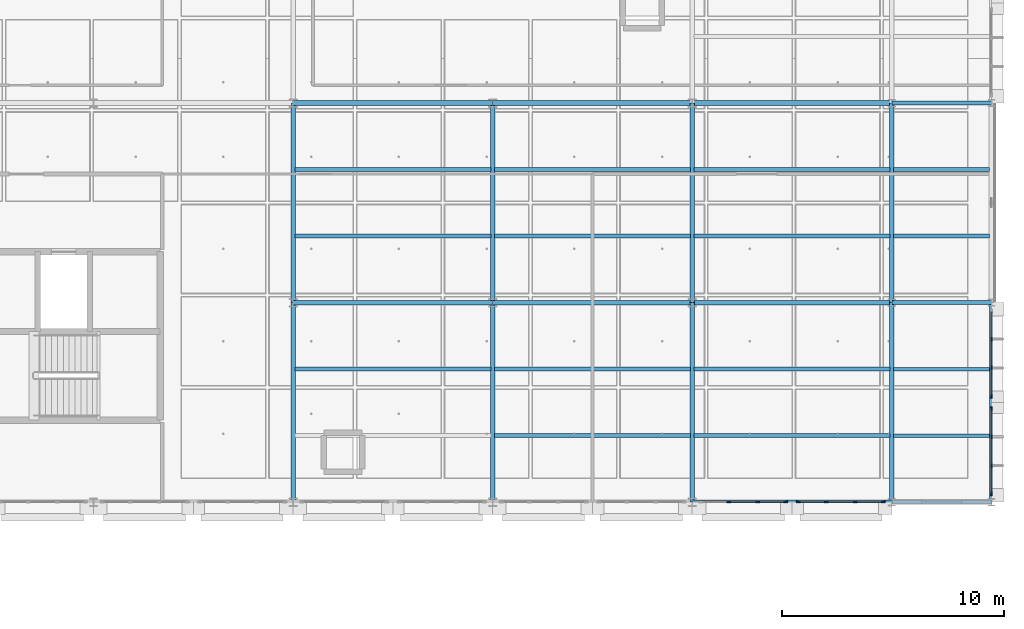
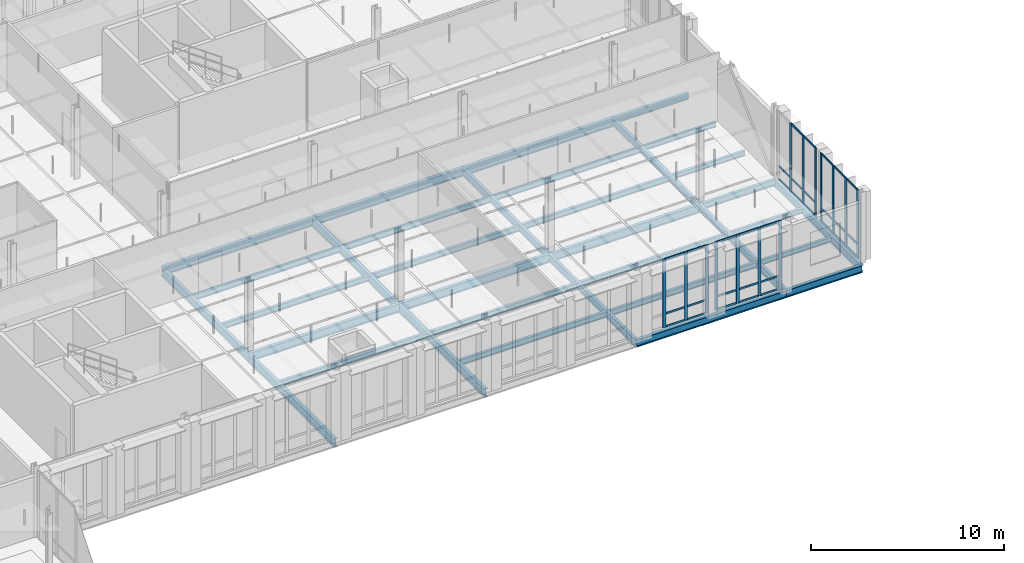
# One storey, part 49 of 130: 46 members, 34 beams, 4 elements without a shape of their own.
"""IFC4 building model written with IfcOpenShell, lengths in metres."""

import ifcopenshell
import ifcopenshell.guid

model = None  # the IFC model being written
_history = None  # IfcOwnerHistory: only IFC2X3 demands one
_inside = {}  # id of a spatial element -> (the spatial element, [elements in it])
_under = {}  # id of a project, library or spatial element -> (it, [spatial elements below it])
_declared = {}  # id of a project -> (the project, [libraries it declares])
_typed = {}  # id of a type object -> (the type object, [elements of that type])
_made_of = {}  # id of a material, layer set ... -> (it, [elements and type objects made of it])


def new_model(schema):
    """Start an empty IFC model of exactly this schema.

    Asked for "IFC4X3", IfcOpenShell would pick the latest addendum, in which some entities
    have other attributes; the version numbers below select the first issue.
    IFC2X3 requires an IfcOwnerHistory on every rooted entity: one is made here for all.
    """
    global model, _history
    if schema == "IFC4X3":
        model = ifcopenshell.file(schema_version=(4, 3, 0, 0))
    else:
        model = ifcopenshell.file(schema=schema)
    _inside.clear()
    _under.clear()
    _declared.clear()
    _typed.clear()
    _made_of.clear()
    _history = None
    if model.schema == "IFC2X3":
        org = make("IfcOrganization", Name="unknown")
        user = make(
            "IfcPersonAndOrganization",
            ThePerson=make("IfcPerson", FamilyName="unknown"),
            TheOrganization=org,
        )
        app = make(
            "IfcApplication",
            ApplicationDeveloper=org,
            Version="unknown",
            ApplicationFullName="unknown",
            ApplicationIdentifier="unknown",
        )
        _history = make(
            "IfcOwnerHistory",
            OwningUser=user,
            OwningApplication=app,
            ChangeAction="ADDED",
            CreationDate=0,
        )
    return model


def make(cls, **values):
    """One entity of the class cls with the attributes given. An attribute that is None is left unset."""
    return model.create_entity(
        cls, **{name: value for name, value in values.items() if value is not None}
    )


def rooted(cls, **values):
    """An entity with a GlobalId (a new one), such as an element, a storey or a relation."""
    return make(cls, GlobalId=ifcopenshell.guid.new(), OwnerHistory=_history, **values)


def si_unit(unit_type, name, prefix=None):
    """IfcSIUnit, for example si_unit("LENGTHUNIT", "METRE", prefix="MILLI")."""
    return make("IfcSIUnit", UnitType=unit_type, Prefix=prefix, Name=name)


def assignment(units):
    """IfcUnitAssignment: the units of a project."""
    return None if units is None else make("IfcUnitAssignment", Units=units)


def point(xyz):
    """IfcCartesianPoint."""
    return None if xyz is None else make("IfcCartesianPoint", Coordinates=xyz)


def direction(xyz):
    """IfcDirection."""
    return None if xyz is None else make("IfcDirection", DirectionRatios=xyz)


def frame(location, z_axis=None, x_axis=None):
    """IfcAxis2Placement3D, a coordinate frame: its origin and axes. An axis left out is left unset."""
    return make(
        "IfcAxis2Placement3D",
        Location=point(location),
        Axis=direction(z_axis),
        RefDirection=direction(x_axis),
    )


def frame_2d(location, x_axis=None):
    """IfcAxis2Placement2D, a coordinate frame in the plane: its origin and x axis."""
    return make(
        "IfcAxis2Placement2D", Location=point(location), RefDirection=direction(x_axis)
    )


def origin():
    """The frame at (0, 0, 0) with its axes left unset."""
    return frame((0.0, 0.0, 0.0))


def origin_2d():
    """The frame at (0, 0) in the plane with its x axis left unset."""
    return frame_2d((0.0, 0.0))


def place(relative_to, where):
    """IfcLocalPlacement: puts the frame where relative to a parent placement (None: the world)."""
    return make(
        "IfcLocalPlacement", PlacementRelTo=relative_to, RelativePlacement=where
    )


def context(
    kind, dimensions, precision=None, world=None, true_north=None, identifier=None
):
    """IfcGeometricRepresentationContext, for example the 3D "Model" context."""
    return make(
        "IfcGeometricRepresentationContext",
        ContextIdentifier=identifier,
        ContextType=kind,
        CoordinateSpaceDimension=dimensions,
        Precision=precision,
        WorldCoordinateSystem=world,
        TrueNorth=true_north,
    )


def subcontext(parent, identifier, kind, view, scale=None):
    """IfcGeometricRepresentationSubContext, for example "Body" below "Model"."""
    return make(
        "IfcGeometricRepresentationSubContext",
        ContextIdentifier=identifier,
        ContextType=kind,
        ParentContext=parent,
        TargetScale=scale,
        TargetView=view,
    )


def project(units=None, contexts=None):
    """IfcProject with its units and contexts."""
    return rooted(
        "IfcProject",
        Name="project",
        RepresentationContexts=contexts,
        UnitsInContext=assignment(units),
    )


def spatial(cls, under=None, at=None, **own):
    """A site, building, storey or space (cls), placed at a placement, below another one or the project."""
    s = rooted(cls, ObjectPlacement=at, **own)
    if under is not None:
        _under.setdefault(under.id(), (under, []))[1].append(s)
    return s


def profile(cls, at=None, kind="AREA", **sizes):
    """A parametric profile (cls). Its sizes go by their IFC names, for example OverallWidth=200.0."""
    return make(cls, ProfileType=kind, Position=at, **sizes)


def rectangle(**sizes):
    """IfcRectangleProfileDef."""
    return profile("IfcRectangleProfileDef", **sizes)


def i_section(**sizes):
    """IfcIShapeProfileDef."""
    return profile("IfcIShapeProfileDef", **sizes)


def extrude(swept, where, along, depth):
    """IfcExtrudedAreaSolid: the profile swept, set in the frame where, extruded along a direction by depth."""
    return make(
        "IfcExtrudedAreaSolid",
        SweptArea=swept,
        Position=where,
        ExtrudedDirection=direction(along),
        Depth=depth,
    )


def shape(context_of_items, identifier, shape_type, items):
    """IfcShapeRepresentation: the items that make up one representation, for example the "Body"."""
    return make(
        "IfcShapeRepresentation",
        ContextOfItems=context_of_items,
        RepresentationIdentifier=identifier,
        RepresentationType=shape_type,
        Items=items,
    )


def material(Name=None, Category=None):
    """IfcMaterial."""
    return make("IfcMaterial", Name=Name, Category=Category)


def material_profile(
    of_material, cross_section, Name=None, Category=None, Priority=None
):
    """IfcMaterialProfile: a cross section and its material."""
    return make(
        "IfcMaterialProfile",
        Name=Name,
        Material=of_material,
        Profile=cross_section,
        Priority=Priority,
        Category=Category,
    )


def profile_set(profiles, Name=None, composite=None):
    """IfcMaterialProfileSet."""
    return make(
        "IfcMaterialProfileSet",
        Name=Name,
        MaterialProfiles=profiles,
        CompositeProfile=composite,
    )


def made_of(thing, what):
    """Note that an element or type object is made of a material, layer set ...; save() writes the relation."""
    if what is not None:
        _made_of.setdefault(what.id(), (what, []))[1].append(thing)
    return thing


def type_object(cls, material=None, **own):
    """A type object (cls), such as IfcWallType, which elements share."""
    return made_of(rooted(cls, **own), material)


def element(
    cls,
    number,
    at=None,
    inside=None,
    cuts=None,
    type_object=None,
    material=None,
    context=None,
    identifier="Body",
    shape_type=None,
    held_by="IfcProductDefinitionShape",
    body=None,
    shapes=None,
    **own,
):
    """One element of the class cls, such as IfcWall. Its Tag is "e" and its number.

    at: its placement. inside: the storey or other place that contains it. cuts: it is an
    opening in that element (IfcRelVoidsElement). A single representation is given by context,
    identifier, shape_type and body (its items); several are given by shapes. held_by: the class
    of the entity that holds the representations. save() writes the other relations.
    """
    e = rooted(cls, Tag="e%d" % number, ObjectPlacement=at, **own)
    if body is not None:
        shapes = [shape(context, identifier, shape_type, body)]
    if shapes is not None:
        e.Representation = make(held_by, Representations=shapes)
    if inside is not None:
        _inside.setdefault(inside.id(), (inside, []))[1].append(e)
    if cuts is not None:
        rooted(
            "IfcRelVoidsElement", RelatingBuildingElement=cuts, RelatedOpeningElement=e
        )
    if type_object is not None:
        _typed.setdefault(type_object.id(), (type_object, []))[1].append(e)
    return made_of(e, material)


def aggregate(whole, parts):
    """IfcRelAggregates: a whole, such as a stair, and the parts it consists of."""
    return rooted("IfcRelAggregates", RelatingObject=whole, RelatedObjects=parts)


def save(model, path):
    """Write the relations noted so far, then the file.

    IfcRelAggregates (storeys below a building ...), IfcRelContainedInSpatialStructure (elements
    in a storey), IfcRelDefinesByType, IfcRelAssociatesMaterial and IfcRelDeclares: one each for
    every whole, place, type object, material and project.
    """
    for whole, parts in _under.values():
        aggregate(whole, parts)
    for where, things in _inside.values():
        rooted(
            "IfcRelContainedInSpatialStructure",
            RelatedElements=things,
            RelatingStructure=where,
        )
    for kind, things in _typed.values():
        rooted("IfcRelDefinesByType", RelatedObjects=things, RelatingType=kind)
    for what, things in _made_of.values():
        rooted("IfcRelAssociatesMaterial", RelatedObjects=things, RelatingMaterial=what)
    for by, libraries in _declared.values():
        rooted("IfcRelDeclares", RelatingContext=by, RelatedDefinitions=libraries)
    model.write(path)


model = new_model("IFC4")

# Units and contexts
model_context = context("Model", 3, precision=1e-05, world=origin(), true_north=direction((0.0, 1.0)))
body_context = subcontext(model_context, "Body", "Model", "MODEL_VIEW")
ifc_project = project(units=[si_unit("LENGTHUNIT", "METRE"), si_unit("AREAUNIT", "SQUARE_METRE"), si_unit("VOLUMEUNIT", "CUBIC_METRE"), si_unit("PLANEANGLEUNIT", "RADIAN"), si_unit("MASSUNIT", "GRAM", prefix="KILO"), si_unit("THERMODYNAMICTEMPERATUREUNIT", "KELVIN"), si_unit("POWERUNIT", "WATT")], contexts=[model_context])

# Site, building, storey
site_placement = place(None, origin())
site = spatial("IfcSite", under=ifc_project, at=site_placement, CompositionType="ELEMENT")
building_placement = place(site_placement, origin())
building = spatial("IfcBuilding", under=site, at=building_placement, Name="Tallowbark Science Centre", CompositionType="ELEMENT")
storey_placement = place(building_placement, frame((0.0, 0.0, 5.39990234375)))
storey = spatial("IfcBuildingStorey", under=building, at=storey_placement, Name="L01", CompositionType="ELEMENT", Elevation=5.39990234375)

# Beams
ifc_material_1 = material(Name="Structural Steel Grade 300PLUS (300 MPa)", Category="steel")
ifc_material_profile_1 = material_profile(ifc_material_1, i_section(OverallWidth=0.177734375, OverallDepth=0.406494140625, WebThickness=0.0078125, FlangeThickness=0.0126953125, FilletRadius=0.011474609375, at=origin_2d()), Name="410UB59.7")
ifc_profile_set_1 = profile_set([ifc_material_profile_1], Name="Structural Steel Grade 300PLUS (300 MPa)")
beam_type_1 = type_object("IfcBeamType", Name="BM-UB410", PredefinedType="BEAM", material=ifc_profile_set_1)
for number, where, z_axis, x_axis, name in (
    (1, (157.5, 81.0, -0.383056640625), (1.0, 0.0, 0.0), (0.0, 1.0, 0.0), "Primary Girder GRDX-L01-1575-1620-810"),
    (2, (157.5, 90.0, -0.383056640625), (1.0, 0.0, 0.0), (0.0, 1.0, 0.0), "Primary Girder GRDX-L01-1575-1620-900"),
):
    element("IfcBeam", number, at=place(storey_placement, frame(where, z_axis=z_axis, x_axis=x_axis)), inside=storey, type_object=beam_type_1, Name=name, PredefinedType="BEAM", context=body_context, shape_type="SweptSolid", body=[
        extrude(i_section(OverallWidth=0.177734375, OverallDepth=0.406494140625, WebThickness=0.0078125, FlangeThickness=0.0126953125, FilletRadius=0.011474609375, at=origin_2d()), origin(), (0.0, 0.0, 1.0), 4.5),
    ])
ifc_material_profile_2 = material_profile(ifc_material_1, i_section(OverallWidth=0.208984375, OverallDepth=0.532958984375, WebThickness=0.01025390625, FlangeThickness=0.015625, FilletRadius=0.013916015625, at=origin_2d()), Name="530UB92.4")
ifc_profile_set_2 = profile_set([ifc_material_profile_2], Name="Structural Steel Grade 300PLUS (300 MPa)")
beam_type_2 = type_object("IfcBeamType", Name="BM-UB530A", PredefinedType="BEAM", material=ifc_profile_set_2)
for number, where, z_axis, x_axis, name in (
    (3, (130.5, 81.0, -0.4462890625), (1.0, 0.0, 0.0), (0.0, 1.0, 0.0), "Primary Girder GRDX-L01-1305-1395-810"),
    (4, (139.5, 81.0, -0.4462890625), (1.0, 0.0, 0.0), (0.0, 1.0, 0.0), "Primary Girder GRDX-L01-1395-1485-810"),
    (5, (148.5, 81.0, -0.4462890625), (1.0, 0.0, 0.0), (0.0, 1.0, 0.0), "Primary Girder GRDX-L01-1485-1575-810"),
    (6, (130.5, 90.0, -0.4462890625), (1.0, 0.0, 0.0), (0.0, 1.0, 0.0), "Primary Girder GRDX-L01-1305-1395-900"),
    (7, (139.5, 90.0, -0.4462890625), (1.0, 0.0, 0.0), (0.0, 1.0, 0.0), "Primary Girder GRDX-L01-1395-1485-900"),
    (8, (148.5, 90.0, -0.4462890625), (1.0, 0.0, 0.0), (0.0, 1.0, 0.0), "Primary Girder GRDX-L01-1485-1575-900"),
):
    element("IfcBeam", number, at=place(storey_placement, frame(where, z_axis=z_axis, x_axis=x_axis)), inside=storey, type_object=beam_type_2, Name=name, PredefinedType="BEAM", context=body_context, shape_type="SweptSolid", body=[
        extrude(i_section(OverallWidth=0.208984375, OverallDepth=0.532958984375, WebThickness=0.01025390625, FlangeThickness=0.015625, FilletRadius=0.013916015625, at=origin_2d()), origin(), (0.0, 0.0, 1.0), 9.0),
    ])
ifc_material_profile_3 = material_profile(ifc_material_1, i_section(OverallWidth=0.208740234375, OverallDepth=0.5283203125, WebThickness=0.009521484375, FlangeThickness=0.01318359375, FilletRadius=0.013916015625, at=origin_2d()), Name="530UB82.0")
ifc_profile_set_3 = profile_set([ifc_material_profile_3], Name="Structural Steel Grade 300PLUS (300 MPa)")
beam_type_3 = type_object("IfcBeamType", Name="BM-UB530B", PredefinedType="BEAM", material=ifc_profile_set_3)
for number, where, z_axis, x_axis, name in (
    (9, (130.5, 72.0, -0.444091796875), (0.0, 1.0, 0.0), (-1.0, 0.0, 0.0), "Primary Girder GRDY-L01-1305-720-810"),
    (10, (130.5, 81.0, -0.444091796875), (0.0, 1.0, 0.0), (-1.0, 0.0, 0.0), "Primary Girder GRDY-L01-1305-810-900"),
    (11, (139.5, 72.0, -0.444091796875), (0.0, 1.0, 0.0), (-1.0, 0.0, 0.0), "Primary Girder GRDY-L01-1395-720-810"),
    (12, (139.5, 81.0, -0.444091796875), (0.0, 1.0, 0.0), (-1.0, 0.0, 0.0), "Primary Girder GRDY-L01-1395-810-900"),
):
    element("IfcBeam", number, at=place(storey_placement, frame(where, z_axis=z_axis, x_axis=x_axis)), inside=storey, type_object=beam_type_3, Name=name, PredefinedType="BEAM", context=body_context, shape_type="SweptSolid", body=[
        extrude(i_section(OverallWidth=0.208740234375, OverallDepth=0.5283203125, WebThickness=0.009521484375, FlangeThickness=0.01318359375, FilletRadius=0.013916015625, at=origin_2d()), origin(), (0.0, 0.0, 1.0), 9.0),
    ])

# Curtain wall, members
ifc_material_2 = material(Name="Unitised Thermally Broken Aluminium and Low-E Double Glazing", Category="aluminium")
curtain_wall_type = type_object("IfcCurtainWallType", Name="CW-SYS-FACADE", PredefinedType="NOTDEFINED", material=ifc_material_2)
curtain_wall_1_placement = place(storey_placement, origin())
curtain_wall_1 = element("IfcCurtainWall", 13, at=curtain_wall_1_placement, inside=storey, type_object=curtain_wall_type, Name="Unitised Curtain Wall OBS-S-148A CW-L01-128", PredefinedType="NOTDEFINED")
ifc_material_3 = material(Name="Anodised Architectural Aluminium Alloy 6063-T6", Category="aluminium")
ifc_material_profile_4 = material_profile(ifc_material_3, rectangle(XDim=0.06494140625, YDim=0.179931640625, at=origin_2d()), Name="ALU65x180")
ifc_profile_set_4 = profile_set([ifc_material_profile_4], Name="Anodised Architectural Aluminium Alloy 6063-T6")
member_type_1 = type_object("IfcMemberType", Name="CWM-MUL-220", PredefinedType="MULLION", material=ifc_profile_set_4)
member_1_placement = place(storey_placement, frame((150.14990234375, 72.0, 0.0), z_axis=(0.0, 0.0, 1.0), x_axis=(0.0, 1.0, 0.0)))
member_1 = element("IfcMember", 14, at=member_1_placement, type_object=member_type_1, Name="CW-01 mullion 2", PredefinedType="MULLION", context=body_context, shape_type="SweptSolid", body=[
    extrude(rectangle(XDim=0.06494140625, YDim=0.179931640625, at=origin_2d()), origin(), (0.0, 0.0, 1.0), 4.320068359375),
])
member_2_placement = place(storey_placement, frame((151.449951171875, 72.0, 0.0), z_axis=(0.0, 0.0, 1.0), x_axis=(0.0, 1.0, 0.0)))
member_2 = element("IfcMember", 15, at=member_2_placement, type_object=member_type_1, Name="CW-01 mullion 3", PredefinedType="MULLION", context=body_context, shape_type="SweptSolid", body=[
    extrude(rectangle(XDim=0.06494140625, YDim=0.179931640625, at=origin_2d()), origin(), (0.0, 0.0, 1.0), 4.320068359375),
])
member_3_placement = place(storey_placement, frame((152.717529296875, 72.0, 0.0), z_axis=(0.0, 0.0, 1.0), x_axis=(0.0, 1.0, 0.0)))
member_3 = element("IfcMember", 16, at=member_3_placement, type_object=member_type_1, Name="CW-01 mullion 4", PredefinedType="MULLION", context=body_context, shape_type="SweptSolid", body=[
    extrude(rectangle(XDim=0.06494140625, YDim=0.179931640625, at=origin_2d()), origin(), (0.0, 0.0, 1.0), 4.320068359375),
])

curtain_wall_2_placement = place(storey_placement, origin())
curtain_wall_2 = element("IfcCurtainWall", 17, at=curtain_wall_2_placement, inside=storey, type_object=curtain_wall_type, Name="Unitised Curtain Wall OBS-S-148B CW-L01-129", PredefinedType="NOTDEFINED")
member_4_placement = place(storey_placement, frame((153.282470703125, 72.0, 0.0), z_axis=(0.0, 0.0, 1.0), x_axis=(0.0, 1.0, 0.0)))
member_4 = element("IfcMember", 18, at=member_4_placement, type_object=member_type_1, Name="CW-01 mullion 1", PredefinedType="MULLION", context=body_context, shape_type="SweptSolid", body=[
    extrude(rectangle(XDim=0.06494140625, YDim=0.179931640625, at=origin_2d()), origin(), (0.0, 0.0, 1.0), 4.320068359375),
])
member_5_placement = place(storey_placement, frame((154.550048828125, 72.0, 0.0), z_axis=(0.0, 0.0, 1.0), x_axis=(0.0, 1.0, 0.0)))
member_5 = element("IfcMember", 19, at=member_5_placement, type_object=member_type_1, Name="CW-01 mullion 2", PredefinedType="MULLION", context=body_context, shape_type="SweptSolid", body=[
    extrude(rectangle(XDim=0.06494140625, YDim=0.179931640625, at=origin_2d()), origin(), (0.0, 0.0, 1.0), 4.320068359375),
])
member_6_placement = place(storey_placement, frame((155.85009765625, 72.0, 0.0), z_axis=(0.0, 0.0, 1.0), x_axis=(0.0, 1.0, 0.0)))
member_6 = element("IfcMember", 20, at=member_6_placement, type_object=member_type_1, Name="CW-01 mullion 3", PredefinedType="MULLION", context=body_context, shape_type="SweptSolid", body=[
    extrude(rectangle(XDim=0.06494140625, YDim=0.179931640625, at=origin_2d()), origin(), (0.0, 0.0, 1.0), 4.320068359375),
])
member_7_placement = place(storey_placement, frame((157.117431640625, 72.0, 0.0), z_axis=(0.0, 0.0, 1.0), x_axis=(0.0, 1.0, 0.0)))
member_7 = element("IfcMember", 21, at=member_7_placement, type_object=member_type_1, Name="CW-01 mullion 4", PredefinedType="MULLION", context=body_context, shape_type="SweptSolid", body=[
    extrude(rectangle(XDim=0.06494140625, YDim=0.179931640625, at=origin_2d()), origin(), (0.0, 0.0, 1.0), 4.320068359375),
])

curtain_wall_3_placement = place(storey_placement, origin())
curtain_wall_3 = element("IfcCurtainWall", 22, at=curtain_wall_3_placement, inside=storey, type_object=curtain_wall_type, Name="Unitised Curtain Wall OBS-E-72A CW-L01-132", PredefinedType="NOTDEFINED")
member_8_placement = place(storey_placement, frame((162.0, 72.382568359375, 0.0), z_axis=(0.0, 0.0, 1.0), x_axis=(-1.0, 0.0, 0.0)))
member_8 = element("IfcMember", 23, at=member_8_placement, type_object=member_type_1, Name="CW-01 mullion 1", PredefinedType="MULLION", context=body_context, shape_type="SweptSolid", body=[
    extrude(rectangle(XDim=0.06494140625, YDim=0.179931640625, at=origin_2d()), origin(), (0.0, 0.0, 1.0), 4.320068359375),
])
member_9_placement = place(storey_placement, frame((162.0, 73.64990234375, 0.0), z_axis=(0.0, 0.0, 1.0), x_axis=(-1.0, 0.0, 0.0)))
member_9 = element("IfcMember", 24, at=member_9_placement, type_object=member_type_1, Name="CW-01 mullion 2", PredefinedType="MULLION", context=body_context, shape_type="SweptSolid", body=[
    extrude(rectangle(XDim=0.06494140625, YDim=0.179931640625, at=origin_2d()), origin(), (0.0, 0.0, 1.0), 4.320068359375),
])
member_10_placement = place(storey_placement, frame((162.0, 74.949951171875, 0.0), z_axis=(0.0, 0.0, 1.0), x_axis=(-1.0, 0.0, 0.0)))
member_10 = element("IfcMember", 25, at=member_10_placement, type_object=member_type_1, Name="CW-01 mullion 3", PredefinedType="MULLION", context=body_context, shape_type="SweptSolid", body=[
    extrude(rectangle(XDim=0.06494140625, YDim=0.179931640625, at=origin_2d()), origin(), (0.0, 0.0, 1.0), 4.320068359375),
])
member_11_placement = place(storey_placement, frame((162.0, 76.217529296875, 0.0), z_axis=(0.0, 0.0, 1.0), x_axis=(-1.0, 0.0, 0.0)))
member_11 = element("IfcMember", 26, at=member_11_placement, type_object=member_type_1, Name="CW-01 mullion 4", PredefinedType="MULLION", context=body_context, shape_type="SweptSolid", body=[
    extrude(rectangle(XDim=0.06494140625, YDim=0.179931640625, at=origin_2d()), origin(), (0.0, 0.0, 1.0), 4.320068359375),
])

curtain_wall_4_placement = place(storey_placement, origin())
curtain_wall_4 = element("IfcCurtainWall", 27, at=curtain_wall_4_placement, inside=storey, type_object=curtain_wall_type, Name="Unitised Curtain Wall OBS-E-72B CW-L01-133", PredefinedType="NOTDEFINED")
member_12_placement = place(storey_placement, frame((162.0, 76.782470703125, 0.0), z_axis=(0.0, 0.0, 1.0), x_axis=(-1.0, 0.0, 0.0)))
member_12 = element("IfcMember", 28, at=member_12_placement, type_object=member_type_1, Name="CW-01 mullion 1", PredefinedType="MULLION", context=body_context, shape_type="SweptSolid", body=[
    extrude(rectangle(XDim=0.06494140625, YDim=0.179931640625, at=origin_2d()), origin(), (0.0, 0.0, 1.0), 4.320068359375),
])
member_13_placement = place(storey_placement, frame((162.0, 78.050048828125, 0.0), z_axis=(0.0, 0.0, 1.0), x_axis=(-1.0, 0.0, 0.0)))
member_13 = element("IfcMember", 29, at=member_13_placement, type_object=member_type_1, Name="CW-01 mullion 2", PredefinedType="MULLION", context=body_context, shape_type="SweptSolid", body=[
    extrude(rectangle(XDim=0.06494140625, YDim=0.179931640625, at=origin_2d()), origin(), (0.0, 0.0, 1.0), 4.320068359375),
])
member_14_placement = place(storey_placement, frame((162.0, 79.35009765625, 0.0), z_axis=(0.0, 0.0, 1.0), x_axis=(-1.0, 0.0, 0.0)))
member_14 = element("IfcMember", 30, at=member_14_placement, type_object=member_type_1, Name="CW-01 mullion 3", PredefinedType="MULLION", context=body_context, shape_type="SweptSolid", body=[
    extrude(rectangle(XDim=0.06494140625, YDim=0.179931640625, at=origin_2d()), origin(), (0.0, 0.0, 1.0), 4.320068359375),
])

# Member
ifc_material_profile_5 = material_profile(ifc_material_3, rectangle(XDim=0.054931640625, YDim=0.1201171875, at=origin_2d()), Name="ALU55x120")
ifc_profile_set_5 = profile_set([ifc_material_profile_5], Name="Anodised Architectural Aluminium Alloy 6063-T6")
member_type_2 = type_object("IfcMemberType", Name="CWM-TRN-150", PredefinedType="USERDEFINED", material=ifc_profile_set_5)
member_15_placement = place(storey_placement, frame((150.1826171875, 72.0, 0.027587890625), z_axis=(1.0, 0.0, 0.0), x_axis=(0.0, 1.0, 0.0)))
member_15 = element("IfcMember", 31, at=member_15_placement, type_object=member_type_2, Name="CW-01 transom 2.1", ObjectType="TRANSOM", PredefinedType="USERDEFINED", context=body_context, shape_type="SweptSolid", body=[
    extrude(rectangle(XDim=0.054931640625, YDim=0.1201171875, at=origin_2d()), origin(), (0.0, 0.0, 1.0), 1.23486328125),
])

member_16_placement = place(storey_placement, frame((150.1826171875, 72.0, 0.85009765625), z_axis=(1.0, 0.0, 0.0), x_axis=(0.0, 1.0, 0.0)))
member_16 = element("IfcMember", 32, at=member_16_placement, type_object=member_type_2, Name="CW-01 transom 2.2", ObjectType="TRANSOM", PredefinedType="USERDEFINED", context=body_context, shape_type="SweptSolid", body=[
    extrude(rectangle(XDim=0.054931640625, YDim=0.1201171875, at=origin_2d()), origin(), (0.0, 0.0, 1.0), 1.23486328125),
])

member_17_placement = place(storey_placement, frame((150.1826171875, 72.0, 4.29248046875), z_axis=(1.0, 0.0, 0.0), x_axis=(0.0, 1.0, 0.0)))
member_17 = element("IfcMember", 33, at=member_17_placement, type_object=member_type_2, Name="CW-01 transom 2.3", ObjectType="TRANSOM", PredefinedType="USERDEFINED", context=body_context, shape_type="SweptSolid", body=[
    extrude(rectangle(XDim=0.054931640625, YDim=0.1201171875, at=origin_2d()), origin(), (0.0, 0.0, 1.0), 1.23486328125),
])

member_18_placement = place(storey_placement, frame((151.482421875, 72.0, 0.027587890625), z_axis=(1.0, 0.0, 0.0), x_axis=(0.0, 1.0, 0.0)))
member_18 = element("IfcMember", 34, at=member_18_placement, type_object=member_type_2, Name="CW-01 transom 3.1", ObjectType="TRANSOM", PredefinedType="USERDEFINED", context=body_context, shape_type="SweptSolid", body=[
    extrude(rectangle(XDim=0.054931640625, YDim=0.1201171875, at=origin_2d()), origin(), (0.0, 0.0, 1.0), 1.20263671875),
])

member_19_placement = place(storey_placement, frame((151.482421875, 72.0, 0.85009765625), z_axis=(1.0, 0.0, 0.0), x_axis=(0.0, 1.0, 0.0)))
member_19 = element("IfcMember", 35, at=member_19_placement, type_object=member_type_2, Name="CW-01 transom 3.2", ObjectType="TRANSOM", PredefinedType="USERDEFINED", context=body_context, shape_type="SweptSolid", body=[
    extrude(rectangle(XDim=0.054931640625, YDim=0.1201171875, at=origin_2d()), origin(), (0.0, 0.0, 1.0), 1.20263671875),
])

member_20_placement = place(storey_placement, frame((151.482421875, 72.0, 4.29248046875), z_axis=(1.0, 0.0, 0.0), x_axis=(0.0, 1.0, 0.0)))
member_20 = element("IfcMember", 36, at=member_20_placement, type_object=member_type_2, Name="CW-01 transom 3.3", ObjectType="TRANSOM", PredefinedType="USERDEFINED", context=body_context, shape_type="SweptSolid", body=[
    extrude(rectangle(XDim=0.054931640625, YDim=0.1201171875, at=origin_2d()), origin(), (0.0, 0.0, 1.0), 1.20263671875),
])

aggregate(curtain_wall_1, [member_1, member_2, member_3, member_15, member_16, member_17, member_18, member_19, member_20])

member_21_placement = place(storey_placement, frame((153.31494140625, 72.0, 0.027587890625), z_axis=(1.0, 0.0, 0.0), x_axis=(0.0, 1.0, 0.0)))
member_21 = element("IfcMember", 37, at=member_21_placement, type_object=member_type_2, Name="CW-01 transom 1.1", ObjectType="TRANSOM", PredefinedType="USERDEFINED", context=body_context, shape_type="SweptSolid", body=[
    extrude(rectangle(XDim=0.054931640625, YDim=0.1201171875, at=origin_2d()), origin(), (0.0, 0.0, 1.0), 1.20263671875),
])

member_22_placement = place(storey_placement, frame((153.31494140625, 72.0, 0.85009765625), z_axis=(1.0, 0.0, 0.0), x_axis=(0.0, 1.0, 0.0)))
member_22 = element("IfcMember", 38, at=member_22_placement, type_object=member_type_2, Name="CW-01 transom 1.2", ObjectType="TRANSOM", PredefinedType="USERDEFINED", context=body_context, shape_type="SweptSolid", body=[
    extrude(rectangle(XDim=0.054931640625, YDim=0.1201171875, at=origin_2d()), origin(), (0.0, 0.0, 1.0), 1.20263671875),
])

member_23_placement = place(storey_placement, frame((153.31494140625, 72.0, 4.29248046875), z_axis=(1.0, 0.0, 0.0), x_axis=(0.0, 1.0, 0.0)))
member_23 = element("IfcMember", 39, at=member_23_placement, type_object=member_type_2, Name="CW-01 transom 1.3", ObjectType="TRANSOM", PredefinedType="USERDEFINED", context=body_context, shape_type="SweptSolid", body=[
    extrude(rectangle(XDim=0.054931640625, YDim=0.1201171875, at=origin_2d()), origin(), (0.0, 0.0, 1.0), 1.20263671875),
])

member_24_placement = place(storey_placement, frame((154.58251953125, 72.0, 0.027587890625), z_axis=(1.0, 0.0, 0.0), x_axis=(0.0, 1.0, 0.0)))
member_24 = element("IfcMember", 40, at=member_24_placement, type_object=member_type_2, Name="CW-01 transom 2.1", ObjectType="TRANSOM", PredefinedType="USERDEFINED", context=body_context, shape_type="SweptSolid", body=[
    extrude(rectangle(XDim=0.054931640625, YDim=0.1201171875, at=origin_2d()), origin(), (0.0, 0.0, 1.0), 1.23486328125),
])

member_25_placement = place(storey_placement, frame((154.58251953125, 72.0, 0.85009765625), z_axis=(1.0, 0.0, 0.0), x_axis=(0.0, 1.0, 0.0)))
member_25 = element("IfcMember", 41, at=member_25_placement, type_object=member_type_2, Name="CW-01 transom 2.2", ObjectType="TRANSOM", PredefinedType="USERDEFINED", context=body_context, shape_type="SweptSolid", body=[
    extrude(rectangle(XDim=0.054931640625, YDim=0.1201171875, at=origin_2d()), origin(), (0.0, 0.0, 1.0), 1.23486328125),
])

member_26_placement = place(storey_placement, frame((154.58251953125, 72.0, 4.29248046875), z_axis=(1.0, 0.0, 0.0), x_axis=(0.0, 1.0, 0.0)))
member_26 = element("IfcMember", 42, at=member_26_placement, type_object=member_type_2, Name="CW-01 transom 2.3", ObjectType="TRANSOM", PredefinedType="USERDEFINED", context=body_context, shape_type="SweptSolid", body=[
    extrude(rectangle(XDim=0.054931640625, YDim=0.1201171875, at=origin_2d()), origin(), (0.0, 0.0, 1.0), 1.23486328125),
])

member_27_placement = place(storey_placement, frame((155.882568359375, 72.0, 0.027587890625), z_axis=(1.0, 0.0, 0.0), x_axis=(0.0, 1.0, 0.0)))
member_27 = element("IfcMember", 43, at=member_27_placement, type_object=member_type_2, Name="CW-01 transom 3.1", ObjectType="TRANSOM", PredefinedType="USERDEFINED", context=body_context, shape_type="SweptSolid", body=[
    extrude(rectangle(XDim=0.054931640625, YDim=0.1201171875, at=origin_2d()), origin(), (0.0, 0.0, 1.0), 1.202392578125),
])

member_28_placement = place(storey_placement, frame((155.882568359375, 72.0, 0.85009765625), z_axis=(1.0, 0.0, 0.0), x_axis=(0.0, 1.0, 0.0)))
member_28 = element("IfcMember", 44, at=member_28_placement, type_object=member_type_2, Name="CW-01 transom 3.2", ObjectType="TRANSOM", PredefinedType="USERDEFINED", context=body_context, shape_type="SweptSolid", body=[
    extrude(rectangle(XDim=0.054931640625, YDim=0.1201171875, at=origin_2d()), origin(), (0.0, 0.0, 1.0), 1.202392578125),
])

member_29_placement = place(storey_placement, frame((155.882568359375, 72.0, 4.29248046875), z_axis=(1.0, 0.0, 0.0), x_axis=(0.0, 1.0, 0.0)))
member_29 = element("IfcMember", 45, at=member_29_placement, type_object=member_type_2, Name="CW-01 transom 3.3", ObjectType="TRANSOM", PredefinedType="USERDEFINED", context=body_context, shape_type="SweptSolid", body=[
    extrude(rectangle(XDim=0.054931640625, YDim=0.1201171875, at=origin_2d()), origin(), (0.0, 0.0, 1.0), 1.202392578125),
])

aggregate(curtain_wall_2, [member_4, member_5, member_6, member_7, member_21, member_22, member_23, member_24, member_25, member_26, member_27, member_28, member_29])

member_30_placement = place(storey_placement, frame((162.0, 72.4150390625, 0.027587890625), z_axis=(0.0, 1.0, 0.0), x_axis=(-1.0, 0.0, 0.0)))
member_30 = element("IfcMember", 46, at=member_30_placement, type_object=member_type_2, Name="CW-01 transom 1.1", ObjectType="TRANSOM", PredefinedType="USERDEFINED", context=body_context, shape_type="SweptSolid", body=[
    extrude(rectangle(XDim=0.054931640625, YDim=0.1201171875, at=origin_2d()), origin(), (0.0, 0.0, 1.0), 1.202392578125),
])

member_31_placement = place(storey_placement, frame((162.0, 72.4150390625, 0.85009765625), z_axis=(0.0, 1.0, 0.0), x_axis=(-1.0, 0.0, 0.0)))
member_31 = element("IfcMember", 47, at=member_31_placement, type_object=member_type_2, Name="CW-01 transom 1.2", ObjectType="TRANSOM", PredefinedType="USERDEFINED", context=body_context, shape_type="SweptSolid", body=[
    extrude(rectangle(XDim=0.054931640625, YDim=0.1201171875, at=origin_2d()), origin(), (0.0, 0.0, 1.0), 1.202392578125),
])

member_32_placement = place(storey_placement, frame((162.0, 72.4150390625, 4.29248046875), z_axis=(0.0, 1.0, 0.0), x_axis=(-1.0, 0.0, 0.0)))
member_32 = element("IfcMember", 48, at=member_32_placement, type_object=member_type_2, Name="CW-01 transom 1.3", ObjectType="TRANSOM", PredefinedType="USERDEFINED", context=body_context, shape_type="SweptSolid", body=[
    extrude(rectangle(XDim=0.054931640625, YDim=0.1201171875, at=origin_2d()), origin(), (0.0, 0.0, 1.0), 1.202392578125),
])

member_33_placement = place(storey_placement, frame((162.0, 73.6826171875, 0.027587890625), z_axis=(0.0, 1.0, 0.0), x_axis=(-1.0, 0.0, 0.0)))
member_33 = element("IfcMember", 49, at=member_33_placement, type_object=member_type_2, Name="CW-01 transom 2.1", ObjectType="TRANSOM", PredefinedType="USERDEFINED", context=body_context, shape_type="SweptSolid", body=[
    extrude(rectangle(XDim=0.054931640625, YDim=0.1201171875, at=origin_2d()), origin(), (0.0, 0.0, 1.0), 1.23486328125),
])

member_34_placement = place(storey_placement, frame((162.0, 73.6826171875, 0.85009765625), z_axis=(0.0, 1.0, 0.0), x_axis=(-1.0, 0.0, 0.0)))
member_34 = element("IfcMember", 50, at=member_34_placement, type_object=member_type_2, Name="CW-01 transom 2.2", ObjectType="TRANSOM", PredefinedType="USERDEFINED", context=body_context, shape_type="SweptSolid", body=[
    extrude(rectangle(XDim=0.054931640625, YDim=0.1201171875, at=origin_2d()), origin(), (0.0, 0.0, 1.0), 1.23486328125),
])

member_35_placement = place(storey_placement, frame((162.0, 73.6826171875, 4.29248046875), z_axis=(0.0, 1.0, 0.0), x_axis=(-1.0, 0.0, 0.0)))
member_35 = element("IfcMember", 51, at=member_35_placement, type_object=member_type_2, Name="CW-01 transom 2.3", ObjectType="TRANSOM", PredefinedType="USERDEFINED", context=body_context, shape_type="SweptSolid", body=[
    extrude(rectangle(XDim=0.054931640625, YDim=0.1201171875, at=origin_2d()), origin(), (0.0, 0.0, 1.0), 1.23486328125),
])

member_36_placement = place(storey_placement, frame((162.0, 74.982421875, 0.027587890625), z_axis=(0.0, 1.0, 0.0), x_axis=(-1.0, 0.0, 0.0)))
member_36 = element("IfcMember", 52, at=member_36_placement, type_object=member_type_2, Name="CW-01 transom 3.1", ObjectType="TRANSOM", PredefinedType="USERDEFINED", context=body_context, shape_type="SweptSolid", body=[
    extrude(rectangle(XDim=0.054931640625, YDim=0.1201171875, at=origin_2d()), origin(), (0.0, 0.0, 1.0), 1.20263671875),
])

member_37_placement = place(storey_placement, frame((162.0, 74.982421875, 0.85009765625), z_axis=(0.0, 1.0, 0.0), x_axis=(-1.0, 0.0, 0.0)))
member_37 = element("IfcMember", 53, at=member_37_placement, type_object=member_type_2, Name="CW-01 transom 3.2", ObjectType="TRANSOM", PredefinedType="USERDEFINED", context=body_context, shape_type="SweptSolid", body=[
    extrude(rectangle(XDim=0.054931640625, YDim=0.1201171875, at=origin_2d()), origin(), (0.0, 0.0, 1.0), 1.20263671875),
])

member_38_placement = place(storey_placement, frame((162.0, 74.982421875, 4.29248046875), z_axis=(0.0, 1.0, 0.0), x_axis=(-1.0, 0.0, 0.0)))
member_38 = element("IfcMember", 54, at=member_38_placement, type_object=member_type_2, Name="CW-01 transom 3.3", ObjectType="TRANSOM", PredefinedType="USERDEFINED", context=body_context, shape_type="SweptSolid", body=[
    extrude(rectangle(XDim=0.054931640625, YDim=0.1201171875, at=origin_2d()), origin(), (0.0, 0.0, 1.0), 1.20263671875),
])

aggregate(curtain_wall_3, [member_8, member_9, member_10, member_11, member_30, member_31, member_32, member_33, member_34, member_35, member_36, member_37, member_38])

member_39_placement = place(storey_placement, frame((162.0, 76.81494140625, 0.027587890625), z_axis=(0.0, 1.0, 0.0), x_axis=(-1.0, 0.0, 0.0)))
member_39 = element("IfcMember", 55, at=member_39_placement, type_object=member_type_2, Name="CW-01 transom 1.1", ObjectType="TRANSOM", PredefinedType="USERDEFINED", context=body_context, shape_type="SweptSolid", body=[
    extrude(rectangle(XDim=0.054931640625, YDim=0.1201171875, at=origin_2d()), origin(), (0.0, 0.0, 1.0), 1.20263671875),
])

member_40_placement = place(storey_placement, frame((162.0, 76.81494140625, 0.85009765625), z_axis=(0.0, 1.0, 0.0), x_axis=(-1.0, 0.0, 0.0)))
member_40 = element("IfcMember", 56, at=member_40_placement, type_object=member_type_2, Name="CW-01 transom 1.2", ObjectType="TRANSOM", PredefinedType="USERDEFINED", context=body_context, shape_type="SweptSolid", body=[
    extrude(rectangle(XDim=0.054931640625, YDim=0.1201171875, at=origin_2d()), origin(), (0.0, 0.0, 1.0), 1.20263671875),
])

member_41_placement = place(storey_placement, frame((162.0, 76.81494140625, 4.29248046875), z_axis=(0.0, 1.0, 0.0), x_axis=(-1.0, 0.0, 0.0)))
member_41 = element("IfcMember", 57, at=member_41_placement, type_object=member_type_2, Name="CW-01 transom 1.3", ObjectType="TRANSOM", PredefinedType="USERDEFINED", context=body_context, shape_type="SweptSolid", body=[
    extrude(rectangle(XDim=0.054931640625, YDim=0.1201171875, at=origin_2d()), origin(), (0.0, 0.0, 1.0), 1.20263671875),
])

member_42_placement = place(storey_placement, frame((162.0, 78.08251953125, 0.027587890625), z_axis=(0.0, 1.0, 0.0), x_axis=(-1.0, 0.0, 0.0)))
member_42 = element("IfcMember", 58, at=member_42_placement, type_object=member_type_2, Name="CW-01 transom 2.1", ObjectType="TRANSOM", PredefinedType="USERDEFINED", context=body_context, shape_type="SweptSolid", body=[
    extrude(rectangle(XDim=0.054931640625, YDim=0.1201171875, at=origin_2d()), origin(), (0.0, 0.0, 1.0), 1.23486328125),
])

member_43_placement = place(storey_placement, frame((162.0, 78.08251953125, 0.85009765625), z_axis=(0.0, 1.0, 0.0), x_axis=(-1.0, 0.0, 0.0)))
member_43 = element("IfcMember", 59, at=member_43_placement, type_object=member_type_2, Name="CW-01 transom 2.2", ObjectType="TRANSOM", PredefinedType="USERDEFINED", context=body_context, shape_type="SweptSolid", body=[
    extrude(rectangle(XDim=0.054931640625, YDim=0.1201171875, at=origin_2d()), origin(), (0.0, 0.0, 1.0), 1.23486328125),
])

member_44_placement = place(storey_placement, frame((162.0, 78.08251953125, 4.29248046875), z_axis=(0.0, 1.0, 0.0), x_axis=(-1.0, 0.0, 0.0)))
member_44 = element("IfcMember", 60, at=member_44_placement, type_object=member_type_2, Name="CW-01 transom 2.3", ObjectType="TRANSOM", PredefinedType="USERDEFINED", context=body_context, shape_type="SweptSolid", body=[
    extrude(rectangle(XDim=0.054931640625, YDim=0.1201171875, at=origin_2d()), origin(), (0.0, 0.0, 1.0), 1.23486328125),
])

member_45_placement = place(storey_placement, frame((162.0, 79.382568359375, 0.027587890625), z_axis=(0.0, 1.0, 0.0), x_axis=(-1.0, 0.0, 0.0)))
member_45 = element("IfcMember", 61, at=member_45_placement, type_object=member_type_2, Name="CW-01 transom 3.1", ObjectType="TRANSOM", PredefinedType="USERDEFINED", context=body_context, shape_type="SweptSolid", body=[
    extrude(rectangle(XDim=0.054931640625, YDim=0.1201171875, at=origin_2d()), origin(), (0.0, 0.0, 1.0), 1.202392578125),
])

member_46_placement = place(storey_placement, frame((162.0, 79.382568359375, 0.85009765625), z_axis=(0.0, 1.0, 0.0), x_axis=(-1.0, 0.0, 0.0)))
member_46 = element("IfcMember", 62, at=member_46_placement, type_object=member_type_2, Name="CW-01 transom 3.2", ObjectType="TRANSOM", PredefinedType="USERDEFINED", context=body_context, shape_type="SweptSolid", body=[
    extrude(rectangle(XDim=0.054931640625, YDim=0.1201171875, at=origin_2d()), origin(), (0.0, 0.0, 1.0), 1.202392578125),
])

aggregate(curtain_wall_4, [member_12, member_13, member_14, member_39, member_40, member_41, member_42, member_43, member_44, member_45, member_46])

# Beams
ifc_material_profile_6 = material_profile(ifc_material_1, i_section(OverallWidth=0.166015625, OverallDepth=0.30712890625, WebThickness=0.006591796875, FlangeThickness=0.01171875, FilletRadius=0.011474609375, at=origin_2d()), Name="310UB46.2")
ifc_profile_set_6 = profile_set([ifc_material_profile_6], Name="Structural Steel Grade 300PLUS (300 MPa)")
beam_type_4 = type_object("IfcBeamType", Name="JST-UB310", PredefinedType="JOIST", material=ifc_profile_set_6)
for number, where, z_axis, x_axis, name in (
    (63, (157.5849609375, 75.0, -0.33349609375), (1.0, 0.0, 0.0), (0.0, 1.0, 0.0), "Composite Floor Joist JSTX-L01-1575-750"),
    (64, (157.5849609375, 78.0, -0.33349609375), (1.0, 0.0, 0.0), (0.0, 1.0, 0.0), "Composite Floor Joist JSTX-L01-1575-780"),
    (65, (157.5849609375, 84.0, -0.33349609375), (1.0, 0.0, 0.0), (0.0, 1.0, 0.0), "Composite Floor Joist JSTX-L01-1575-840"),
    (66, (157.5849609375, 87.0, -0.33349609375), (1.0, 0.0, 0.0), (0.0, 1.0, 0.0), "Composite Floor Joist JSTX-L01-1575-870"),
):
    element("IfcBeam", number, at=place(storey_placement, frame(where, z_axis=z_axis, x_axis=x_axis)), inside=storey, type_object=beam_type_4, Name=name, PredefinedType="JOIST", context=body_context, shape_type="SweptSolid", body=[
        extrude(i_section(OverallWidth=0.166015625, OverallDepth=0.30712890625, WebThickness=0.006591796875, FlangeThickness=0.01171875, FilletRadius=0.011474609375, at=origin_2d()), origin(), (0.0, 0.0, 1.0), 4.330078125),
    ])
ifc_material_profile_7 = material_profile(ifc_material_1, i_section(OverallWidth=0.172119140625, OverallDepth=0.358642578125, WebThickness=0.008056640625, FlangeThickness=0.012939453125, FilletRadius=0.011474609375, at=origin_2d()), Name="360UB56.7")
ifc_profile_set_7 = profile_set([ifc_material_profile_7], Name="Structural Steel Grade 300PLUS (300 MPa)")
beam_type_5 = type_object("IfcBeamType", Name="JST-UB360", PredefinedType="JOIST", material=ifc_profile_set_7)
for number, where, z_axis, x_axis, name in (
    (67, (130.5849609375, 78.0, -0.359130859375), (1.0, 0.0, 0.0), (0.0, 1.0, 0.0), "Composite Floor Joist JSTX-L01-1305-780"),
    (68, (139.5849609375, 75.0, -0.359130859375), (1.0, 0.0, 0.0), (0.0, 1.0, 0.0), "Composite Floor Joist JSTX-L01-1395-750"),
    (69, (139.5849609375, 78.0, -0.359130859375), (1.0, 0.0, 0.0), (0.0, 1.0, 0.0), "Composite Floor Joist JSTX-L01-1395-780"),
    (70, (148.5849609375, 75.0, -0.359130859375), (1.0, 0.0, 0.0), (0.0, 1.0, 0.0), "Composite Floor Joist JSTX-L01-1485-750"),
    (71, (148.5849609375, 78.0, -0.359130859375), (1.0, 0.0, 0.0), (0.0, 1.0, 0.0), "Composite Floor Joist JSTX-L01-1485-780"),
    (72, (130.5849609375, 84.0, -0.359130859375), (1.0, 0.0, 0.0), (0.0, 1.0, 0.0), "Composite Floor Joist JSTX-L01-1305-840"),
    (73, (130.5849609375, 87.0, -0.359130859375), (1.0, 0.0, 0.0), (0.0, 1.0, 0.0), "Composite Floor Joist JSTX-L01-1305-870"),
    (74, (139.5849609375, 84.0, -0.359130859375), (1.0, 0.0, 0.0), (0.0, 1.0, 0.0), "Composite Floor Joist JSTX-L01-1395-840"),
    (75, (139.5849609375, 87.0, -0.359130859375), (1.0, 0.0, 0.0), (0.0, 1.0, 0.0), "Composite Floor Joist JSTX-L01-1395-870"),
    (76, (148.5849609375, 84.0, -0.359130859375), (1.0, 0.0, 0.0), (0.0, 1.0, 0.0), "Composite Floor Joist JSTX-L01-1485-840"),
    (77, (148.5849609375, 87.0, -0.359130859375), (1.0, 0.0, 0.0), (0.0, 1.0, 0.0), "Composite Floor Joist JSTX-L01-1485-870"),
):
    element("IfcBeam", number, at=place(storey_placement, frame(where, z_axis=z_axis, x_axis=x_axis)), inside=storey, type_object=beam_type_5, Name=name, PredefinedType="JOIST", context=body_context, shape_type="SweptSolid", body=[
        extrude(i_section(OverallWidth=0.172119140625, OverallDepth=0.358642578125, WebThickness=0.008056640625, FlangeThickness=0.012939453125, FilletRadius=0.011474609375, at=origin_2d()), origin(), (0.0, 0.0, 1.0), 8.830078125),
    ])
ifc_material_profile_8 = material_profile(ifc_material_1, i_section(OverallWidth=0.18994140625, OverallDepth=0.453857421875, WebThickness=0.008544921875, FlangeThickness=0.0126953125, FilletRadius=0.011474609375, at=origin_2d()), Name="460UB67.1")
ifc_profile_set_8 = profile_set([ifc_material_profile_8], Name="Structural Steel Grade 300PLUS (300 MPa)")
beam_type_6 = type_object("IfcBeamType", Name="SPN-UB460", PredefinedType="SPANDREL", material=ifc_profile_set_8)
beam_1_placement = place(storey_placement, frame((148.5, 72.0, -0.40673828125), z_axis=(1.0, 0.0, 0.0), x_axis=(0.0, 1.0, 0.0)))
element("IfcBeam", 78, at=beam_1_placement, inside=storey, type_object=beam_type_6, Name="Primary Girder GRDX-L01-1485-1575-720", PredefinedType="SPANDREL", context=body_context, shape_type="SweptSolid", body=[
    extrude(i_section(OverallWidth=0.18994140625, OverallDepth=0.453857421875, WebThickness=0.008544921875, FlangeThickness=0.0126953125, FilletRadius=0.011474609375, at=origin_2d()), origin(), (0.0, 0.0, 1.0), 9.0),
])
beam_2_placement = place(storey_placement, frame((157.5, 72.0, -0.40673828125), z_axis=(1.0, 0.0, 0.0), x_axis=(0.0, 1.0, 0.0)))
element("IfcBeam", 79, at=beam_2_placement, inside=storey, type_object=beam_type_6, Name="Primary Girder GRDX-L01-1575-1620-720", PredefinedType="SPANDREL", context=body_context, shape_type="SweptSolid", body=[
    extrude(i_section(OverallWidth=0.18994140625, OverallDepth=0.453857421875, WebThickness=0.008544921875, FlangeThickness=0.0126953125, FilletRadius=0.011474609375, at=origin_2d()), origin(), (0.0, 0.0, 1.0), 4.5),
])
for number, where, z_axis, x_axis, name in (
    (80, (148.5, 72.0, -0.40673828125), (0.0, 1.0, 0.0), (-1.0, 0.0, 0.0), "Primary Girder GRDY-L01-1485-720-810"),
    (81, (148.5, 81.0, -0.40673828125), (0.0, 1.0, 0.0), (-1.0, 0.0, 0.0), "Primary Girder GRDY-L01-1485-810-900"),
    (82, (157.5, 72.0, -0.40673828125), (0.0, 1.0, 0.0), (-1.0, 0.0, 0.0), "Primary Girder GRDY-L01-1575-720-810"),
    (83, (157.5, 81.0, -0.40673828125), (0.0, 1.0, 0.0), (-1.0, 0.0, 0.0), "Primary Girder GRDY-L01-1575-810-900"),
    (84, (162.0, 72.0, -0.40673828125), (0.0, 1.0, 0.0), (-1.0, 0.0, 0.0), "Primary Girder GRDY-L01-1620-720-810"),
):
    element("IfcBeam", number, at=place(storey_placement, frame(where, z_axis=z_axis, x_axis=x_axis)), inside=storey, type_object=beam_type_6, Name=name, PredefinedType="SPANDREL", context=body_context, shape_type="SweptSolid", body=[
        extrude(i_section(OverallWidth=0.18994140625, OverallDepth=0.453857421875, WebThickness=0.008544921875, FlangeThickness=0.0126953125, FilletRadius=0.011474609375, at=origin_2d()), origin(), (0.0, 0.0, 1.0), 9.0),
    ])

save(model, "model.ifc")
